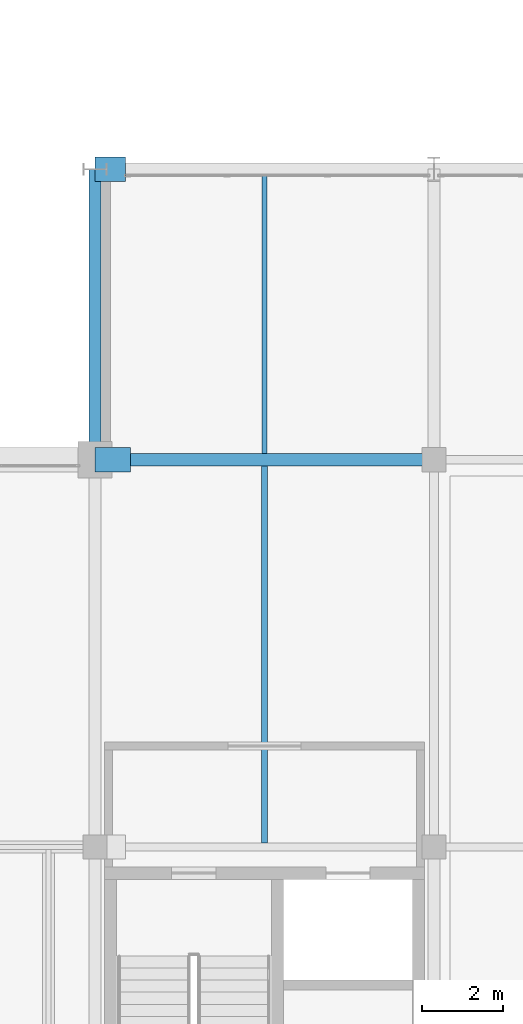
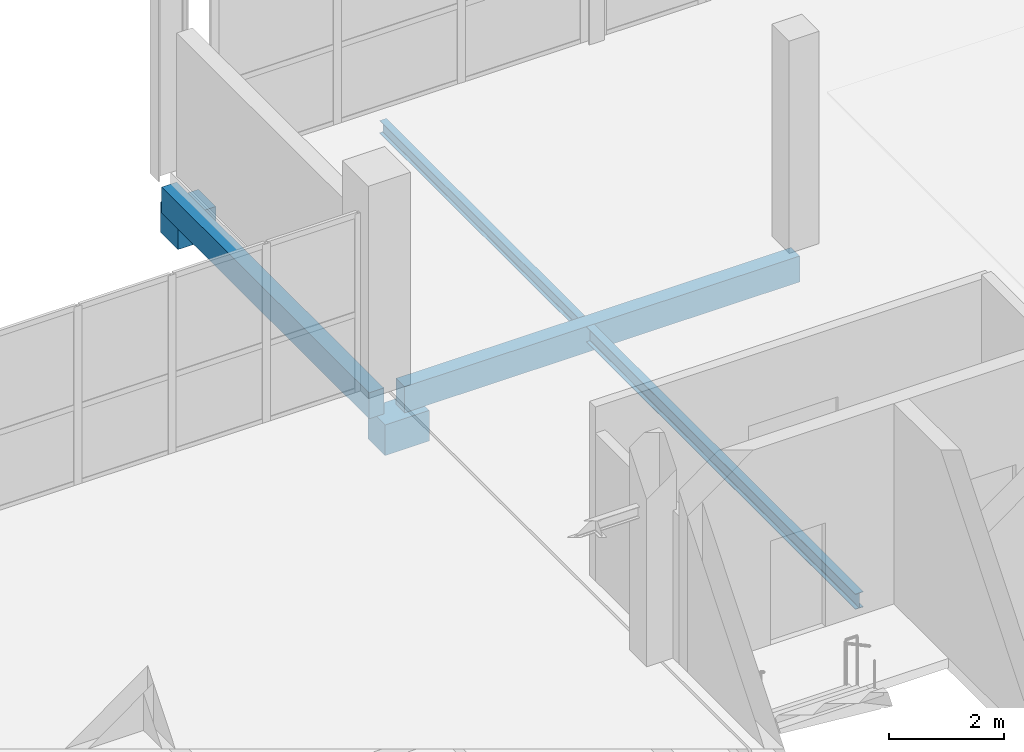
# One storey, part 55 of 130: 6 beams.
"""IFC4 building model written with IfcOpenShell, lengths in metres."""

from ifc_helpers import new_model, si_unit, direction, frame, origin, origin_2d, place, context, subcontext, project, spatial, rectangle, i_section, extrude, material, material_profile, profile_set, type_object, element, save


model = new_model("IFC4")

# Units and contexts
model_context = context("Model", 3, precision=1e-05, world=origin(), true_north=direction((0.0, 1.0)))
body_context = subcontext(model_context, "Body", "Model", "MODEL_VIEW")
ifc_project = project(units=[si_unit("LENGTHUNIT", "METRE"), si_unit("AREAUNIT", "SQUARE_METRE"), si_unit("VOLUMEUNIT", "CUBIC_METRE"), si_unit("PLANEANGLEUNIT", "RADIAN"), si_unit("MASSUNIT", "GRAM", prefix="KILO")], contexts=[model_context])

# Site, building, storey
site_placement = place(None, origin())
site = spatial("IfcSite", under=ifc_project, at=site_placement, CompositionType="ELEMENT")
building_placement = place(site_placement, origin())
building = spatial("IfcBuilding", under=site, at=building_placement, Name="Veltarok Museum of Natural Sciences", CompositionType="ELEMENT")
storey_placement = place(building_placement, frame((0.0, 0.0, 12.89990234375)))
storey = spatial("IfcBuildingStorey", under=building, at=storey_placement, Name="L02", CompositionType="ELEMENT", Elevation=12.89990234375)

# Beams
ifc_material_1 = material(Name="Precast concrete C40/50", Category="concrete")
ifc_material_profile_1 = material_profile(ifc_material_1, rectangle(XDim=0.300048828125, YDim=0.550048828125, at=origin_2d()), Name="RC 300x550")
ifc_profile_set_1 = profile_set([ifc_material_profile_1], Name="Precast concrete C40/50")
beam_type_1 = type_object("IfcBeamType", Name="East Wing Precast Spandrel RC 300x550", PredefinedType="SPANDREL", material=ifc_profile_set_1)
beam_1_placement = place(storey_placement, frame((107.675048828125, 19.199951171875, -0.52490234375), z_axis=(1.0, 0.0, 0.0), x_axis=(0.0, 1.0, 0.0)))
element("IfcBeam", 1, at=beam_1_placement, inside=storey, type_object=beam_type_1, Name="Beam BM-SP02 L02 13-14/C", PredefinedType="SPANDREL", context=body_context, shape_type="SweptSolid", body=[
    extrude(rectangle(XDim=0.300048828125, YDim=0.550048828125, at=origin_2d()), origin(), (0.0, 0.0, 1.0), 7.925048828125),
])
beam_2_placement = place(storey_placement, frame((107.199951171875, 19.199951171875, -0.52490234375), z_axis=(0.0, 1.0, 0.0), x_axis=(-1.0, 0.0, 0.0)))
element("IfcBeam", 2, at=beam_2_placement, inside=storey, type_object=beam_type_1, Name="Beam BM-SP02 L02 13/C-D", PredefinedType="SPANDREL", context=body_context, shape_type="SweptSolid", body=[
    extrude(rectangle(XDim=0.300048828125, YDim=0.550048828125, at=origin_2d()), origin(), (0.0, 0.0, 1.0), 7.199951171875),
])
ifc_material_2 = material(Name="Steel S355J2", Category="steel")
ifc_material_profile_2 = material_profile(ifc_material_2, i_section(OverallWidth=0.159912109375, OverallDepth=0.330078125, WebThickness=0.007568359375, FlangeThickness=0.011474609375, FilletRadius=0.01806640625, at=origin_2d()), Name="IPE 330")
ifc_profile_set_2 = profile_set([ifc_material_profile_2], Name="Steel S355J2")
beam_type_2 = type_object("IfcBeamType", Name="Medium-Bay Composite Joist IPE 330", PredefinedType="JOIST", material=ifc_profile_set_2)
beam_3_placement = place(storey_placement, frame((111.39990234375, 9.702880859375, -0.414794921875), z_axis=(0.0, 1.0, 0.0), x_axis=(-1.0, 0.0, 0.0)))
element("IfcBeam", 3, at=beam_3_placement, inside=storey, type_object=beam_type_2, Name="Secondary Joist BM-J02 L02 13-14/B-C.1", PredefinedType="JOIST", context=body_context, shape_type="SweptSolid", body=[
    extrude(i_section(OverallWidth=0.159912109375, OverallDepth=0.330078125, WebThickness=0.007568359375, FlangeThickness=0.011474609375, FilletRadius=0.01806640625, at=origin_2d()), origin(), (0.0, 0.0, 1.0), 9.34912109375),
])
ifc_material_3 = material(Name="Concrete C40/50", Category="concrete")
ifc_material_profile_3 = material_profile(ifc_material_3, rectangle(XDim=0.60009765625, YDim=0.64990234375, at=origin_2d()), Name="RC 600x650")
ifc_profile_set_3 = profile_set([ifc_material_profile_3], Name="Concrete C40/50")
beam_type_3 = type_object("IfcBeamType", Name="Movement Joint Sliding Corbel RC 600x650", PredefinedType="BEAM", material=ifc_profile_set_3)
beam_4_placement = place(storey_placement, frame((107.199951171875, 19.199951171875, -1.125), z_axis=(1.0, 0.0, 0.0), x_axis=(0.0, 1.0, 0.0)))
element("IfcBeam", 4, at=beam_4_placement, inside=storey, type_object=beam_type_3, Name="Movement Joint Corbel L02 13/C", PredefinedType="BEAM", context=body_context, shape_type="SweptSolid", body=[
    extrude(rectangle(XDim=0.60009765625, YDim=0.64990234375, at=origin_2d()), origin(), (0.0, 0.0, 1.0), 0.885009765625),
])
beam_5_placement = place(storey_placement, frame((107.199951171875, 26.39990234375, -1.125), z_axis=(1.0, 0.0, 0.0), x_axis=(0.0, 1.0, 0.0)))
element("IfcBeam", 5, at=beam_5_placement, inside=storey, type_object=beam_type_3, Name="Movement Joint Corbel L02 13/D", PredefinedType="BEAM", context=body_context, shape_type="SweptSolid", body=[
    extrude(rectangle(XDim=0.60009765625, YDim=0.64990234375, at=origin_2d()), origin(), (0.0, 0.0, 1.0), 0.760009765625),
])
ifc_material_profile_4 = material_profile(ifc_material_2, i_section(OverallWidth=0.135009765625, OverallDepth=0.27001953125, WebThickness=0.006591796875, FlangeThickness=0.01025390625, FilletRadius=0.014892578125, at=origin_2d()), Name="IPE 270")
ifc_profile_set_4 = profile_set([ifc_material_profile_4], Name="Steel S355J2")
beam_type_4 = type_object("IfcBeamType", Name="Short-Bay Composite Joist IPE 270", PredefinedType="JOIST", material=ifc_profile_set_4)
beam_6_placement = place(storey_placement, frame((111.39990234375, 19.347900390625, -0.385009765625), z_axis=(0.0, 1.0, 0.0), x_axis=(-1.0, 0.0, 0.0)))
element("IfcBeam", 6, at=beam_6_placement, inside=storey, type_object=beam_type_4, Name="Secondary Joist BM-J04 L02 13-14/C-D.1", PredefinedType="JOIST", context=body_context, shape_type="SweptSolid", body=[
    extrude(i_section(OverallWidth=0.135009765625, OverallDepth=0.27001953125, WebThickness=0.006591796875, FlangeThickness=0.01025390625, FilletRadius=0.014892578125, at=origin_2d()), origin(), (0.0, 0.0, 1.0), 6.904052734375),
])

save(model, "model.ifc")
